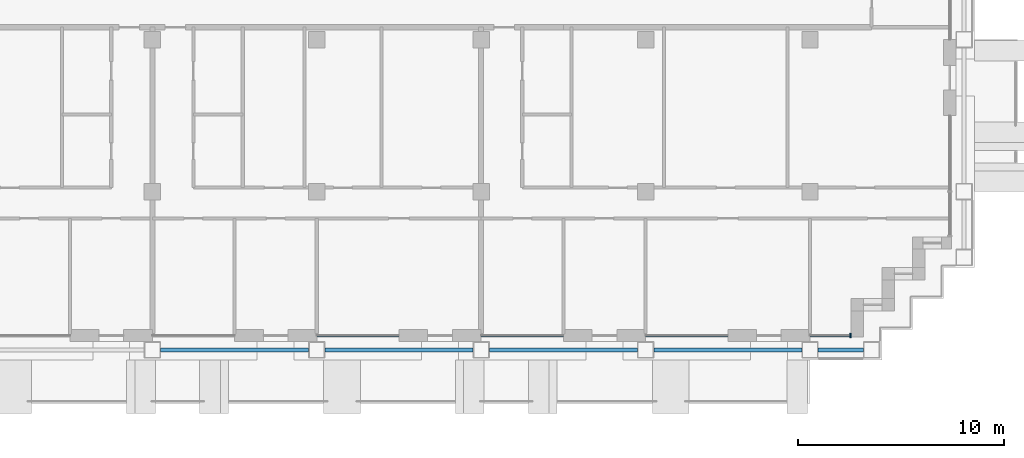
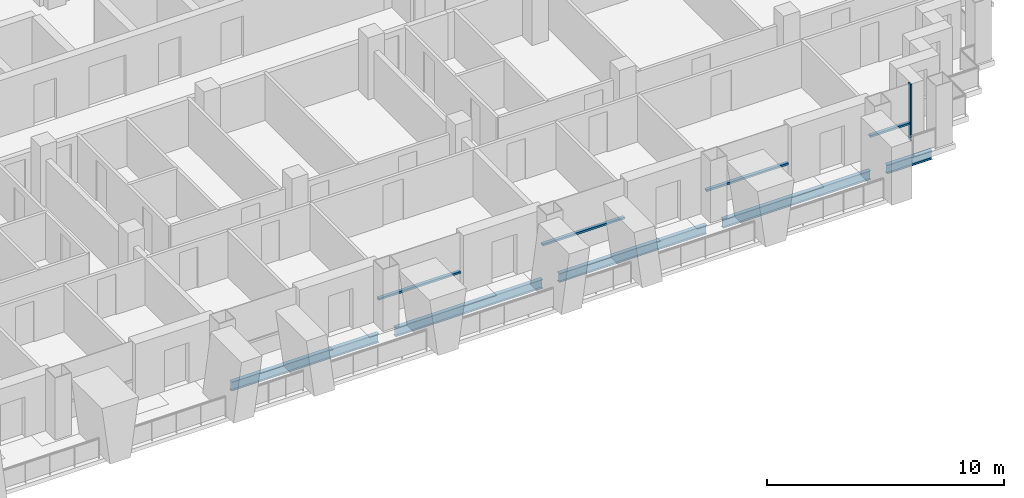
# One storey, part 3 of 16: 5 beams, 5 members, 4 elements without a shape of their own.
"""IFC4 building model written with IfcOpenShell, lengths in metres."""

from ifc_helpers import new_model, si_unit, direction, frame, origin, origin_2d, place, context, subcontext, project, spatial, rectangle, i_section, extrude, material, material_profile, profile_set, type_object, element, aggregate, save


model = new_model("IFC4")

# Units and contexts
model_context = context("Model", 3, precision=1e-05, world=origin(), true_north=direction((0.0, 1.0)))
body_context = subcontext(model_context, "Body", "Model", "MODEL_VIEW")
ifc_project = project(units=[si_unit("LENGTHUNIT", "METRE"), si_unit("AREAUNIT", "SQUARE_METRE"), si_unit("VOLUMEUNIT", "CUBIC_METRE"), si_unit("PLANEANGLEUNIT", "RADIAN"), si_unit("MASSUNIT", "GRAM", prefix="KILO")], contexts=[model_context])

# Site, building, storey
site_placement = place(None, origin())
site = spatial("IfcSite", under=ifc_project, at=site_placement, CompositionType="ELEMENT")
building_placement = place(site_placement, origin())
building = spatial("IfcBuilding", under=site, at=building_placement, Name="Vidyagriha Tower", CompositionType="ELEMENT")
storey_placement = place(building_placement, frame((0.0, 0.0, 135.800048828125)))
storey = spatial("IfcBuildingStorey", under=building, at=storey_placement, Name="L35", CompositionType="ELEMENT", Elevation=135.800048828125)

# Beams
ifc_material_1 = material(Name="Steel ASTM A992 Grade 50", Category="steel")
ifc_material_profile_1 = material_profile(ifc_material_1, i_section(OverallWidth=0.19189453125, OverallDepth=0.46240234375, WebThickness=0.010498046875, FlangeThickness=0.017578125, at=origin_2d()), Name="W18X60")
ifc_profile_set_1 = profile_set([ifc_material_profile_1], Name="Steel ASTM A992 Grade 50")
beam_type = type_object("IfcBeamType", Name="Edge beam W18X60", PredefinedType="SPANDREL", material=ifc_profile_set_1)
for number, where, z_axis, x_axis, name in (
    (1, (-5.60009765625, -17.10009765625, -0.51123046875), (1.0, 0.0, 0.0), (0.0, 1.0, 0.0), "st-beam-L35-S04"),
    (2, (2.39990234375, -17.10009765625, -0.51123046875), (1.0, 0.0, 0.0), (0.0, 1.0, 0.0), "st-beam-L35-S05"),
    (3, (10.39990234375, -17.10009765625, -0.51123046875), (1.0, 0.0, 0.0), (0.0, 1.0, 0.0), "st-beam-L35-S06"),
    (4, (18.39990234375, -17.10009765625, -0.51123046875), (1.0, 0.0, 0.0), (0.0, 1.0, 0.0), "st-beam-L35-S07"),
):
    element("IfcBeam", number, at=place(storey_placement, frame(where, z_axis=z_axis, x_axis=x_axis)), inside=storey, type_object=beam_type, Name=name, PredefinedType="SPANDREL", context=body_context, shape_type="SweptSolid", body=[
        extrude(i_section(OverallWidth=0.19189453125, OverallDepth=0.46240234375, WebThickness=0.010498046875, FlangeThickness=0.017578125, at=origin_2d()), origin(), (0.0, 0.0, 1.0), 7.2001953125),
    ])
beam_placement = place(storey_placement, frame((26.39990234375, -17.10009765625, -0.51123046875), z_axis=(1.0, 0.0, 0.0), x_axis=(0.0, 1.0, 0.0)))
element("IfcBeam", 5, at=beam_placement, inside=storey, type_object=beam_type, Name="st-beam-L35-S08", PredefinedType="SPANDREL", context=body_context, shape_type="SweptSolid", body=[
    extrude(i_section(OverallWidth=0.19189453125, OverallDepth=0.46240234375, WebThickness=0.010498046875, FlangeThickness=0.017578125, at=origin_2d()), origin(), (0.0, 0.0, 1.0), 2.2001953125),
])

# Curtain wall, member
ifc_material_2 = material(Name="Aluminium and glass curtain wall", Category="aluminium")
curtain_wall_type = type_object("IfcCurtainWallType", Name="Dwelling skin unitised curtain wall", PredefinedType="USERDEFINED", material=ifc_material_2)
curtain_wall_1_placement = place(storey_placement, origin())
curtain_wall_1 = element("IfcCurtainWall", 6, at=curtain_wall_1_placement, inside=storey, type_object=curtain_wall_type, Name="CW1 dwelling skin", ObjectType="UNITISED", PredefinedType="USERDEFINED")
ifc_material_3 = material(Name="Aluminium black anodised", Category="aluminium")
ifc_material_profile_2 = material_profile(ifc_material_3, rectangle(XDim=0.199951171875, YDim=0.070068359375, at=origin_2d()), Name="Mullion 70x200 black aluminium")
ifc_profile_set_2 = profile_set([ifc_material_profile_2], Name="Aluminium black anodised")
member_type_1 = type_object("IfcMemberType", Name="Mullion 70x200 black aluminium", PredefinedType="MULLION", material=ifc_profile_set_2)
member_1_placement = place(storey_placement, frame((27.965087890625, -16.39990234375, 0.0), z_axis=(0.0, 0.0, 1.0), x_axis=(0.0, 1.0, 0.0)))
member_1 = element("IfcMember", 7, at=member_1_placement, type_object=member_type_1, Name="CW1 mullion 2", PredefinedType="MULLION", context=body_context, shape_type="SweptSolid", body=[
    extrude(rectangle(XDim=0.199951171875, YDim=0.070068359375, at=origin_2d()), origin(), (0.0, 0.0, 1.0), 2.919921875),
])

curtain_wall_2_placement = place(storey_placement, origin())
curtain_wall_2 = element("IfcCurtainWall", 8, at=curtain_wall_2_placement, inside=storey, type_object=curtain_wall_type, Name="CW1 dwelling skin", ObjectType="UNITISED", PredefinedType="USERDEFINED")
ifc_material_4 = material(Name="Aluminium black anodised", Category="aluminium")
ifc_material_profile_3 = material_profile(ifc_material_4, rectangle(XDim=0.159912109375, YDim=0.10009765625, at=origin_2d()), Name="Transom 100x160 black aluminium")
ifc_profile_set_3 = profile_set([ifc_material_profile_3], Name="Aluminium black anodised")
member_type_2 = type_object("IfcMemberType", Name="Transom 100x160 black aluminium", PredefinedType="USERDEFINED", material=ifc_profile_set_3)
member_2_placement = place(storey_placement, frame((2.0, -16.39990234375, 0.89990234375), z_axis=(1.0, 0.0, 0.0), x_axis=(0.0, 1.0, 0.0)))
member_2 = element("IfcMember", 9, at=member_2_placement, type_object=member_type_2, Name="CW1 transom 1.1", ObjectType="TRANSOM", PredefinedType="USERDEFINED", context=body_context, shape_type="SweptSolid", body=[
    extrude(rectangle(XDim=0.159912109375, YDim=0.10009765625, at=origin_2d()), origin(), (0.0, 0.0, 1.0), 4.0),
])
aggregate(curtain_wall_2, [member_2])

curtain_wall_3_placement = place(storey_placement, origin())
curtain_wall_3 = element("IfcCurtainWall", 10, at=curtain_wall_3_placement, inside=storey, type_object=curtain_wall_type, Name="CW1 dwelling skin", ObjectType="UNITISED", PredefinedType="USERDEFINED")
member_3_placement = place(storey_placement, frame((10.0, -16.39990234375, 0.89990234375), z_axis=(1.0, 0.0, 0.0), x_axis=(0.0, 1.0, 0.0)))
member_3 = element("IfcMember", 11, at=member_3_placement, type_object=member_type_2, Name="CW1 transom 1.1", ObjectType="TRANSOM", PredefinedType="USERDEFINED", context=body_context, shape_type="SweptSolid", body=[
    extrude(rectangle(XDim=0.159912109375, YDim=0.10009765625, at=origin_2d()), origin(), (0.0, 0.0, 1.0), 4.0),
])
aggregate(curtain_wall_3, [member_3])

curtain_wall_4_placement = place(storey_placement, origin())
curtain_wall_4 = element("IfcCurtainWall", 12, at=curtain_wall_4_placement, inside=storey, type_object=curtain_wall_type, Name="CW1 dwelling skin", ObjectType="UNITISED", PredefinedType="USERDEFINED")
member_4_placement = place(storey_placement, frame((18.0, -16.39990234375, 0.89990234375), z_axis=(1.0, 0.0, 0.0), x_axis=(0.0, 1.0, 0.0)))
member_4 = element("IfcMember", 13, at=member_4_placement, type_object=member_type_2, Name="CW1 transom 1.1", ObjectType="TRANSOM", PredefinedType="USERDEFINED", context=body_context, shape_type="SweptSolid", body=[
    extrude(rectangle(XDim=0.159912109375, YDim=0.10009765625, at=origin_2d()), origin(), (0.0, 0.0, 1.0), 4.0),
])
aggregate(curtain_wall_4, [member_4])

# Member
member_5_placement = place(storey_placement, frame((26.0, -16.39990234375, 0.89990234375), z_axis=(1.0, 0.0, 0.0), x_axis=(0.0, 1.0, 0.0)))
member_5 = element("IfcMember", 14, at=member_5_placement, type_object=member_type_2, Name="CW1 transom 1.1", ObjectType="TRANSOM", PredefinedType="USERDEFINED", context=body_context, shape_type="SweptSolid", body=[
    extrude(rectangle(XDim=0.159912109375, YDim=0.10009765625, at=origin_2d()), origin(), (0.0, 0.0, 1.0), 1.929931640625),
])

aggregate(curtain_wall_1, [member_1, member_5])

save(model, "model.ifc")
